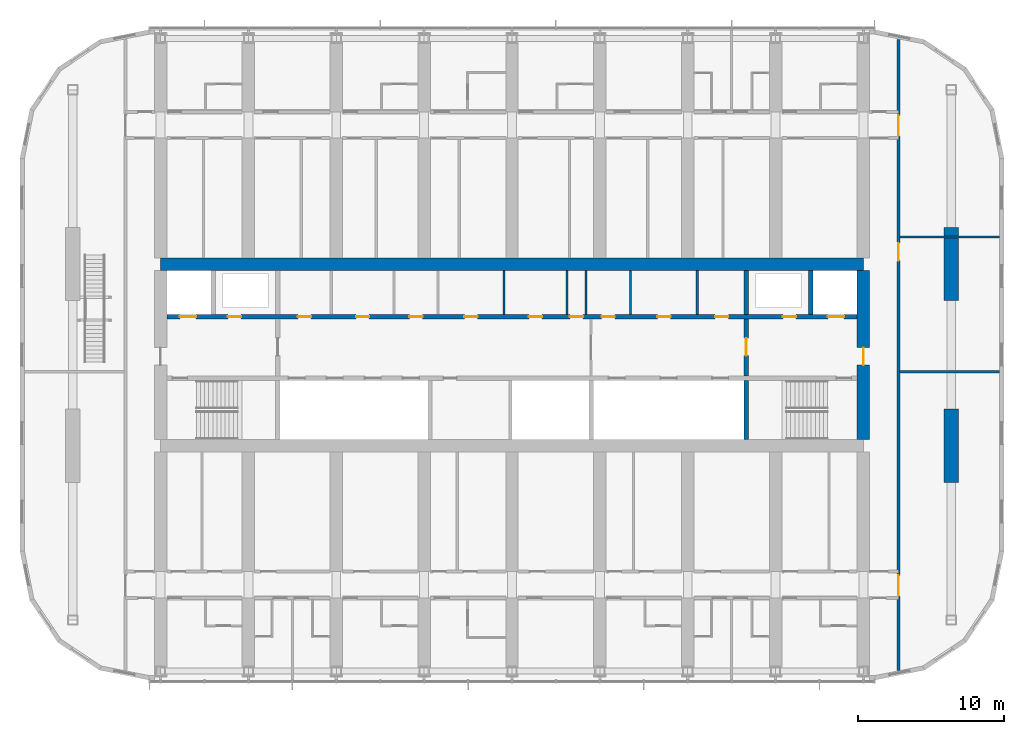
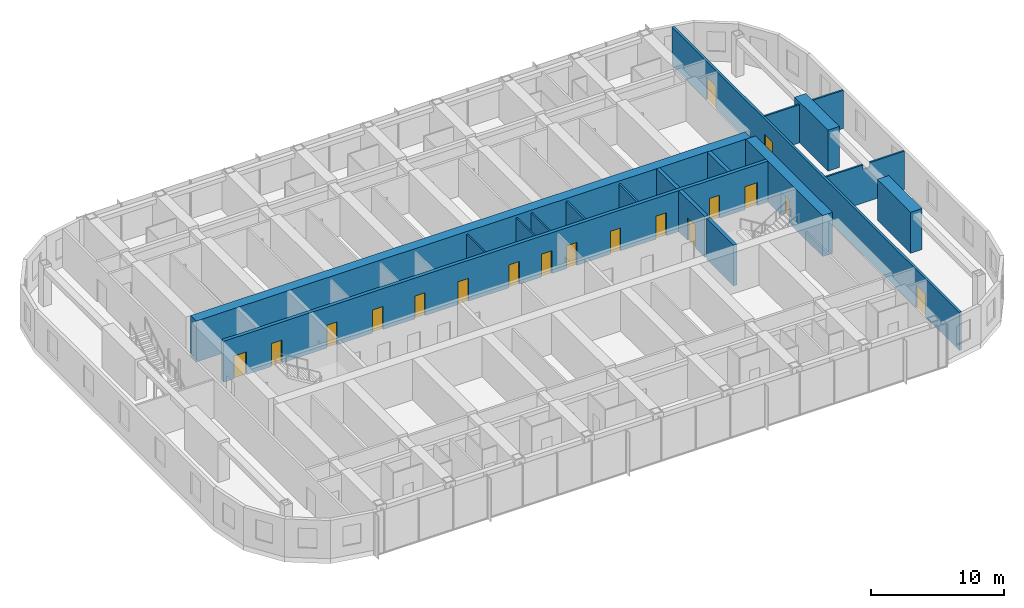
# One storey, part 17 of 28: 18 doors, 17 walls, 18 openings.
"""IFC4 building model written with IfcOpenShell, lengths in metres."""

from ifc_helpers import new_model, si_unit, direction, frame, frame_2d, origin, place, context, subcontext, project, spatial, polyline, rectangle, outline, extrude, material, layer, layer_set, type_object, element, fill, save


model = new_model("IFC4")

# Units and contexts
model_context = context("Model", 3, precision=1e-05, world=origin(), true_north=direction((0.0, 1.0)))
body_context = subcontext(model_context, "Body", "Model", "MODEL_VIEW")
ifc_project = project(units=[si_unit("LENGTHUNIT", "METRE"), si_unit("AREAUNIT", "SQUARE_METRE"), si_unit("VOLUMEUNIT", "CUBIC_METRE"), si_unit("PLANEANGLEUNIT", "RADIAN"), si_unit("MASSUNIT", "GRAM", prefix="KILO")], contexts=[model_context])

# Site, building, storey
site_placement = place(None, origin())
site = spatial("IfcSite", under=ifc_project, at=site_placement, CompositionType="ELEMENT")
building_placement = place(site_placement, origin())
building = spatial("IfcBuilding", under=site, at=building_placement, Name="Orbita Commons", CompositionType="ELEMENT")
storey_placement = place(building_placement, frame((0.0, 0.0, 193.60009765625)))
storey = spatial("IfcBuildingStorey", under=building, at=storey_placement, Name="L48", CompositionType="ELEMENT", Elevation=193.60009765625)

# Wall, openings, doors
ifc_material_1 = material(Name="Concrete C50/60", Category="concrete")
ifc_layer_1 = layer(ifc_material_1, 0.300048828125)
ifc_layer_set_1 = layer_set([ifc_layer_1], Name="Concrete C50/60")
wall_type_1 = type_object("IfcWallType", Name="Core inner wall 300 C50/60", PredefinedType="SHEAR", material=ifc_layer_set_1)
wall_1_placement = place(storey_placement, frame((18.425048828125, 34.60009765625, 0.0), z_axis=(0.0, 0.0, 1.0), x_axis=(1.0, 0.0, 0.0)))
wall_1 = element("IfcWall", 1, at=wall_1_placement, inside=storey, type_object=wall_type_1, Name="Lobby wall north L48", PredefinedType="SHEAR", context=body_context, shape_type="SweptSolid", body=[
    extrude(rectangle(XDim=47.14990234375, YDim=0.300048828125, at=frame_2d((23.574951171875, 0.0))), origin(), (0.0, 0.0, 1.0), 3.75),
])
opening_1_placement = place(wall_1_placement, frame((0.89990234375, 0.0, 0.0)))
opening_1 = element("IfcOpeningElement", 2, at=opening_1_placement, cuts=wall_1, Name="Opening LD01", PredefinedType="OPENING", context=body_context, shape_type="SweptSolid", body=[
    extrude(rectangle(XDim=1.10009765625, YDim=2.10009765625, at=frame_2d((0.550048828125, 1.050048828125))), frame((0.0, 0.159912109375, 0.0), z_axis=(0.0, -1.0, 0.0), x_axis=(1.0, 0.0, 0.0)), (0.0, 0.0, 1.0), 0.320068359375),
])
opening_2_placement = place(wall_1_placement, frame((45.14990234375, 0.0, 0.0)))
opening_2 = element("IfcOpeningElement", 3, at=opening_2_placement, cuts=wall_1, Name="Opening LD01", PredefinedType="OPENING", context=body_context, shape_type="SweptSolid", body=[
    extrude(rectangle(XDim=1.10009765625, YDim=2.10009765625, at=frame_2d((0.550048828125, 1.050048828125))), frame((0.0, 0.159912109375, 0.0), z_axis=(0.0, -1.0, 0.0), x_axis=(1.0, 0.0, 0.0)), (0.0, 0.0, 1.0), 0.320068359375),
])
opening_3_placement = place(wall_1_placement, frame((4.175048828125, 0.0, 0.0)))
opening_3 = element("IfcOpeningElement", 4, at=opening_3_placement, cuts=wall_1, Name="Opening D03", PredefinedType="OPENING", context=body_context, shape_type="SweptSolid", body=[
    extrude(rectangle(XDim=0.89990234375, YDim=2.10009765625, at=frame_2d((0.449951171875, 1.050048828125))), frame((0.0, 0.159912109375, 0.0), z_axis=(0.0, -1.0, 0.0), x_axis=(1.0, 0.0, 0.0)), (0.0, 0.0, 1.0), 0.320068359375),
])
opening_4_placement = place(wall_1_placement, frame((42.074951171875, 0.0, 0.0)))
opening_4 = element("IfcOpeningElement", 5, at=opening_4_placement, cuts=wall_1, Name="Opening D03", PredefinedType="OPENING", context=body_context, shape_type="SweptSolid", body=[
    extrude(rectangle(XDim=0.89990234375, YDim=2.10009765625, at=frame_2d((0.449951171875, 1.050048828125))), frame((0.0, 0.159912109375, 0.0), z_axis=(0.0, -1.0, 0.0), x_axis=(1.0, 0.0, 0.0)), (0.0, 0.0, 1.0), 0.320068359375),
])
opening_5_placement = place(wall_1_placement, frame((8.950439453125, 0.0, 0.0)))
opening_5 = element("IfcOpeningElement", 6, at=opening_5_placement, cuts=wall_1, Name="Opening D03", PredefinedType="OPENING", context=body_context, shape_type="SweptSolid", body=[
    extrude(rectangle(XDim=0.89990234375, YDim=2.10009765625, at=frame_2d((0.449951171875, 1.050048828125))), frame((0.0, 0.159912109375, 0.0), z_axis=(0.0, -1.0, 0.0), x_axis=(1.0, 0.0, 0.0)), (0.0, 0.0, 1.0), 0.320068359375),
])
opening_6_placement = place(wall_1_placement, frame((12.923583984375, 0.0, 0.0)))
opening_6 = element("IfcOpeningElement", 7, at=opening_6_placement, cuts=wall_1, Name="Opening D03", PredefinedType="OPENING", context=body_context, shape_type="SweptSolid", body=[
    extrude(rectangle(XDim=0.89990234375, YDim=2.10009765625, at=frame_2d((0.449951171875, 1.050048828125))), frame((0.0, 0.159912109375, 0.0), z_axis=(0.0, -1.0, 0.0), x_axis=(1.0, 0.0, 0.0)), (0.0, 0.0, 1.0), 0.320068359375),
])
opening_7_placement = place(wall_1_placement, frame((16.5712890625, 0.0, 0.0)))
opening_7 = element("IfcOpeningElement", 8, at=opening_7_placement, cuts=wall_1, Name="Opening D03", PredefinedType="OPENING", context=body_context, shape_type="SweptSolid", body=[
    extrude(rectangle(XDim=0.89990234375, YDim=2.10009765625, at=frame_2d((0.449951171875, 1.050048828125))), frame((0.0, 0.159912109375, 0.0), z_axis=(0.0, -1.0, 0.0), x_axis=(1.0, 0.0, 0.0)), (0.0, 0.0, 1.0), 0.320068359375),
])
opening_8_placement = place(wall_1_placement, frame((20.32958984375, 0.0, 0.0)))
opening_8 = element("IfcOpeningElement", 9, at=opening_8_placement, cuts=wall_1, Name="Opening D05", PredefinedType="OPENING", context=body_context, shape_type="SweptSolid", body=[
    extrude(rectangle(XDim=0.89990234375, YDim=2.10009765625, at=frame_2d((0.449951171875, 1.050048828125))), frame((0.0, 0.159912109375, 0.0), z_axis=(0.0, -1.0, 0.0), x_axis=(1.0, 0.0, 0.0)), (0.0, 0.0, 1.0), 0.320068359375),
])
opening_9_placement = place(wall_1_placement, frame((24.735595703125, 0.0, 0.0)))
opening_9 = element("IfcOpeningElement", 10, at=opening_9_placement, cuts=wall_1, Name="Opening D03", PredefinedType="OPENING", context=body_context, shape_type="SweptSolid", body=[
    extrude(rectangle(XDim=0.89990234375, YDim=2.10009765625, at=frame_2d((0.449951171875, 1.050048828125))), frame((0.0, 0.159912109375, 0.0), z_axis=(0.0, -1.0, 0.0), x_axis=(1.0, 0.0, 0.0)), (0.0, 0.0, 1.0), 0.320068359375),
])
opening_10_placement = place(wall_1_placement, frame((27.533447265625, 0.0, 0.0)))
opening_10 = element("IfcOpeningElement", 11, at=opening_10_placement, cuts=wall_1, Name="Opening D03", PredefinedType="OPENING", context=body_context, shape_type="SweptSolid", body=[
    extrude(rectangle(XDim=0.89990234375, YDim=2.10009765625, at=frame_2d((0.449951171875, 1.050048828125))), frame((0.0, 0.159912109375, 0.0), z_axis=(0.0, -1.0, 0.0), x_axis=(1.0, 0.0, 0.0)), (0.0, 0.0, 1.0), 0.320068359375),
])
opening_11_placement = place(wall_1_placement, frame((29.703125, 0.0, 0.0)))
opening_11 = element("IfcOpeningElement", 12, at=opening_11_placement, cuts=wall_1, Name="Opening D05", PredefinedType="OPENING", context=body_context, shape_type="SweptSolid", body=[
    extrude(rectangle(XDim=0.89990234375, YDim=2.10009765625, at=frame_2d((0.449951171875, 1.050048828125))), frame((0.0, 0.159912109375, 0.0), z_axis=(0.0, -1.0, 0.0), x_axis=(1.0, 0.0, 0.0)), (0.0, 0.0, 1.0), 0.320068359375),
])
opening_12_placement = place(wall_1_placement, frame((33.502197265625, 0.0, 0.0)))
opening_12 = element("IfcOpeningElement", 13, at=opening_12_placement, cuts=wall_1, Name="Opening D05", PredefinedType="OPENING", context=body_context, shape_type="SweptSolid", body=[
    extrude(rectangle(XDim=0.89990234375, YDim=2.10009765625, at=frame_2d((0.449951171875, 1.050048828125))), frame((0.0, 0.159912109375, 0.0), z_axis=(0.0, -1.0, 0.0), x_axis=(1.0, 0.0, 0.0)), (0.0, 0.0, 1.0), 0.320068359375),
])
opening_13_placement = place(wall_1_placement, frame((37.453369140625, 0.0, 0.0)))
opening_13 = element("IfcOpeningElement", 14, at=opening_13_placement, cuts=wall_1, Name="Opening D03", PredefinedType="OPENING", context=body_context, shape_type="SweptSolid", body=[
    extrude(rectangle(XDim=0.89990234375, YDim=2.10009765625, at=frame_2d((0.449951171875, 1.050048828125))), frame((0.0, 0.159912109375, 0.0), z_axis=(0.0, -1.0, 0.0), x_axis=(1.0, 0.0, 0.0)), (0.0, 0.0, 1.0), 0.320068359375),
])
ifc_material_2 = material(Name="Steel-faced fire door leaf", Category="steel")
door_type_1 = type_object("IfcDoorType", Name="Firefighting lift landing door 1100x2100", OperationType="DOUBLE_DOOR_SLIDING", PredefinedType="DOOR", material=ifc_material_2)
door_1_placement = place(opening_1_placement, origin())
door_1 = element("IfcDoor", 15, at=door_1_placement, inside=storey, type_object=door_type_1, Name="Firefighting lift FL1 landing door", OperationType="DOUBLE_DOOR_SLIDING", OverallHeight=2.10009765625, OverallWidth=1.10009765625, PredefinedType="DOOR", context=body_context, shape_type="SweptSolid", body=[
    extrude(rectangle(XDim=1.10009765625, YDim=2.10009765625, at=frame_2d((0.550048828125, 1.050048828125))), frame((0.0, 0.02490234375, 0.0), z_axis=(0.0, -1.0, 0.0), x_axis=(1.0, 0.0, 0.0)), (0.0, 0.0, 1.0), 0.050048828125),
])
fill(opening_1, door_1)
door_2_placement = place(opening_2_placement, origin())
door_2 = element("IfcDoor", 16, at=door_2_placement, inside=storey, type_object=door_type_1, Name="Firefighting lift FL2 landing door", OperationType="DOUBLE_DOOR_SLIDING", OverallHeight=2.10009765625, OverallWidth=1.10009765625, PredefinedType="DOOR", context=body_context, shape_type="SweptSolid", body=[
    extrude(rectangle(XDim=1.10009765625, YDim=2.10009765625, at=frame_2d((0.550048828125, 1.050048828125))), frame((0.0, 0.02490234375, 0.0), z_axis=(0.0, -1.0, 0.0), x_axis=(1.0, 0.0, 0.0)), (0.0, 0.0, 1.0), 0.050048828125),
])
fill(opening_2, door_2)
ifc_material_3 = material(Name="Steel-faced fire door leaf", Category="steel")
door_type_2 = type_object("IfcDoorType", Name="Service door 20 min 900x2100", OperationType="SINGLE_SWING_LEFT", PredefinedType="DOOR", material=ifc_material_3)
door_3_placement = place(opening_8_placement, origin())
door_3 = element("IfcDoor", 17, at=door_3_placement, inside=storey, type_object=door_type_2, Name="Accessible WC door", OperationType="SINGLE_SWING_LEFT", OverallHeight=2.10009765625, OverallWidth=0.89990234375, PredefinedType="DOOR", context=body_context, shape_type="SweptSolid", body=[
    extrude(rectangle(XDim=0.89990234375, YDim=2.10009765625, at=frame_2d((0.449951171875, 1.050048828125))), frame((0.0, 0.02490234375, 0.0), z_axis=(0.0, -1.0, 0.0), x_axis=(1.0, 0.0, 0.0)), (0.0, 0.0, 1.0), 0.050048828125),
])
fill(opening_8, door_3)
door_4_placement = place(opening_11_placement, origin())
door_4 = element("IfcDoor", 18, at=door_4_placement, inside=storey, type_object=door_type_2, Name="Staff WC door", OperationType="SINGLE_SWING_LEFT", OverallHeight=2.10009765625, OverallWidth=0.89990234375, PredefinedType="DOOR", context=body_context, shape_type="SweptSolid", body=[
    extrude(rectangle(XDim=0.89990234375, YDim=2.10009765625, at=frame_2d((0.449951171875, 1.050048828125))), frame((0.0, 0.02490234375, 0.0), z_axis=(0.0, -1.0, 0.0), x_axis=(1.0, 0.0, 0.0)), (0.0, 0.0, 1.0), 0.050048828125),
])
fill(opening_11, door_4)
door_5_placement = place(opening_12_placement, origin())
door_5 = element("IfcDoor", 19, at=door_5_placement, inside=storey, type_object=door_type_2, Name="Vending and ice room door", OperationType="SINGLE_SWING_LEFT", OverallHeight=2.10009765625, OverallWidth=0.89990234375, PredefinedType="DOOR", context=body_context, shape_type="SweptSolid", body=[
    extrude(rectangle(XDim=0.89990234375, YDim=2.10009765625, at=frame_2d((0.449951171875, 1.050048828125))), frame((0.0, 0.02490234375, 0.0), z_axis=(0.0, -1.0, 0.0), x_axis=(1.0, 0.0, 0.0)), (0.0, 0.0, 1.0), 0.050048828125),
])
fill(opening_12, door_5)
ifc_material_4 = material(Name="Steel-faced fire door leaf", Category="steel")
door_type_3 = type_object("IfcDoorType", Name="Shaft access door 90 min 900x2100", OperationType="SINGLE_SWING_LEFT", PredefinedType="DOOR", material=ifc_material_4)
door_6_placement = place(opening_3_placement, origin())
door_6 = element("IfcDoor", 20, at=door_6_placement, inside=storey, type_object=door_type_3, Name="Riser door west", OperationType="SINGLE_SWING_LEFT", OverallHeight=2.10009765625, OverallWidth=0.89990234375, PredefinedType="DOOR", context=body_context, shape_type="SweptSolid", body=[
    extrude(rectangle(XDim=0.89990234375, YDim=2.10009765625, at=frame_2d((0.449951171875, 1.050048828125))), frame((0.0, 0.02490234375, 0.0), z_axis=(0.0, -1.0, 0.0), x_axis=(1.0, 0.0, 0.0)), (0.0, 0.0, 1.0), 0.050048828125),
])
fill(opening_3, door_6)
door_7_placement = place(opening_4_placement, origin())
door_7 = element("IfcDoor", 21, at=door_7_placement, inside=storey, type_object=door_type_3, Name="Riser door east", OperationType="SINGLE_SWING_LEFT", OverallHeight=2.10009765625, OverallWidth=0.89990234375, PredefinedType="DOOR", context=body_context, shape_type="SweptSolid", body=[
    extrude(rectangle(XDim=0.89990234375, YDim=2.10009765625, at=frame_2d((0.449951171875, 1.050048828125))), frame((0.0, 0.02490234375, 0.0), z_axis=(0.0, -1.0, 0.0), x_axis=(1.0, 0.0, 0.0)), (0.0, 0.0, 1.0), 0.050048828125),
])
fill(opening_4, door_7)
door_8_placement = place(opening_5_placement, origin())
door_8 = element("IfcDoor", 22, at=door_8_placement, inside=storey, type_object=door_type_3, Name="Cleaners store door", OperationType="SINGLE_SWING_LEFT", OverallHeight=2.10009765625, OverallWidth=0.89990234375, PredefinedType="DOOR", context=body_context, shape_type="SweptSolid", body=[
    extrude(rectangle(XDim=0.89990234375, YDim=2.10009765625, at=frame_2d((0.449951171875, 1.050048828125))), frame((0.0, 0.02490234375, 0.0), z_axis=(0.0, -1.0, 0.0), x_axis=(1.0, 0.0, 0.0)), (0.0, 0.0, 1.0), 0.050048828125),
])
fill(opening_5, door_8)
door_9_placement = place(opening_6_placement, origin())
door_9 = element("IfcDoor", 23, at=door_9_placement, inside=storey, type_object=door_type_3, Name="Refuse chute room door", OperationType="SINGLE_SWING_LEFT", OverallHeight=2.10009765625, OverallWidth=0.89990234375, PredefinedType="DOOR", context=body_context, shape_type="SweptSolid", body=[
    extrude(rectangle(XDim=0.89990234375, YDim=2.10009765625, at=frame_2d((0.449951171875, 1.050048828125))), frame((0.0, 0.02490234375, 0.0), z_axis=(0.0, -1.0, 0.0), x_axis=(1.0, 0.0, 0.0)), (0.0, 0.0, 1.0), 0.050048828125),
])
fill(opening_6, door_9)
door_10_placement = place(opening_7_placement, origin())
door_10 = element("IfcDoor", 24, at=door_10_placement, inside=storey, type_object=door_type_3, Name="Electrical riser room door", OperationType="SINGLE_SWING_LEFT", OverallHeight=2.10009765625, OverallWidth=0.89990234375, PredefinedType="DOOR", context=body_context, shape_type="SweptSolid", body=[
    extrude(rectangle(XDim=0.89990234375, YDim=2.10009765625, at=frame_2d((0.449951171875, 1.050048828125))), frame((0.0, 0.02490234375, 0.0), z_axis=(0.0, -1.0, 0.0), x_axis=(1.0, 0.0, 0.0)), (0.0, 0.0, 1.0), 0.050048828125),
])
fill(opening_7, door_10)
door_11_placement = place(opening_9_placement, origin())
door_11 = element("IfcDoor", 25, at=door_11_placement, inside=storey, type_object=door_type_3, Name="Communications room door", OperationType="SINGLE_SWING_LEFT", OverallHeight=2.10009765625, OverallWidth=0.89990234375, PredefinedType="DOOR", context=body_context, shape_type="SweptSolid", body=[
    extrude(rectangle(XDim=0.89990234375, YDim=2.10009765625, at=frame_2d((0.449951171875, 1.050048828125))), frame((0.0, 0.02490234375, 0.0), z_axis=(0.0, -1.0, 0.0), x_axis=(1.0, 0.0, 0.0)), (0.0, 0.0, 1.0), 0.050048828125),
])
fill(opening_9, door_11)
door_12_placement = place(opening_10_placement, origin())
door_12 = element("IfcDoor", 26, at=door_12_placement, inside=storey, type_object=door_type_3, Name="Stair pressurisation duct door", OperationType="SINGLE_SWING_LEFT", OverallHeight=2.10009765625, OverallWidth=0.89990234375, PredefinedType="DOOR", context=body_context, shape_type="SweptSolid", body=[
    extrude(rectangle(XDim=0.89990234375, YDim=2.10009765625, at=frame_2d((0.449951171875, 1.050048828125))), frame((0.0, 0.02490234375, 0.0), z_axis=(0.0, -1.0, 0.0), x_axis=(1.0, 0.0, 0.0)), (0.0, 0.0, 1.0), 0.050048828125),
])
fill(opening_10, door_12)
door_13_placement = place(opening_13_placement, origin())
door_13 = element("IfcDoor", 27, at=door_13_placement, inside=storey, type_object=door_type_3, Name="Housekeeping store door", OperationType="SINGLE_SWING_LEFT", OverallHeight=2.10009765625, OverallWidth=0.89990234375, PredefinedType="DOOR", context=body_context, shape_type="SweptSolid", body=[
    extrude(rectangle(XDim=0.89990234375, YDim=2.10009765625, at=frame_2d((0.449951171875, 1.050048828125))), frame((0.0, 0.02490234375, 0.0), z_axis=(0.0, -1.0, 0.0), x_axis=(1.0, 0.0, 0.0)), (0.0, 0.0, 1.0), 0.050048828125),
])
fill(opening_13, door_13)

# Wall
wall_2_placement = place(storey_placement, frame((58.0, 26.22509765625, 0.0), z_axis=(0.0, 0.0, 1.0), x_axis=(0.0, 1.0, 0.0)))
element("IfcWall", 28, at=wall_2_placement, inside=storey, type_object=wall_type_1, Name="Stair S2 wall L48", PredefinedType="SHEAR", context=body_context, shape_type="SweptSolid", body=[
    extrude(rectangle(XDim=4.02490234375, YDim=0.300048828125, at=frame_2d((2.012451171875, 0.0))), origin(), (0.0, 0.0, 1.0), 3.75),
])

# Wall, opening, door
wall_3_placement = place(storey_placement, frame((58.0, 30.550048828125, 0.0), z_axis=(0.0, 0.0, 1.0), x_axis=(0.0, 1.0, 0.0)))
wall_3 = element("IfcWall", 29, at=wall_3_placement, inside=storey, type_object=wall_type_1, Name="Firefighting lobby wall east L48", PredefinedType="SHEAR", context=body_context, shape_type="SweptSolid", body=[
    extrude(rectangle(XDim=3.89990234375, YDim=0.300048828125, at=frame_2d((1.949951171875, 0.0))), origin(), (0.0, 0.0, 1.0), 3.75),
])
opening_14_placement = place(wall_3_placement, frame((1.39990234375, 0.0, 0.0)))
opening_14 = element("IfcOpeningElement", 30, at=opening_14_placement, cuts=wall_3, Name="Opening D04", PredefinedType="OPENING", context=body_context, shape_type="SweptSolid", body=[
    extrude(rectangle(XDim=1.199951171875, YDim=2.10009765625, at=frame_2d((0.60009765625, 1.050048828125))), frame((0.0, 0.159912109375, 0.0), z_axis=(0.0, -1.0, 0.0), x_axis=(1.0, 0.0, 0.0)), (0.0, 0.0, 1.0), 0.320068359375),
])
ifc_material_5 = material(Name="Steel-faced fire door leaf", Category="steel")
door_type_4 = type_object("IfcDoorType", Name="Service door 20 min 1200x2100", OperationType="SINGLE_SWING_LEFT", PredefinedType="DOOR", material=ifc_material_5)
door_14_placement = place(opening_14_placement, origin())
door_14 = element("IfcDoor", 31, at=door_14_placement, inside=storey, type_object=door_type_4, Name="Lift lobby door east", OperationType="SINGLE_SWING_LEFT", OverallHeight=2.10009765625, OverallWidth=1.199951171875, PredefinedType="DOOR", context=body_context, shape_type="SweptSolid", body=[
    extrude(rectangle(XDim=1.199951171875, YDim=2.10009765625, at=frame_2d((0.60009765625, 1.050048828125))), frame((0.0, 0.02490234375, 0.0), z_axis=(0.0, -1.0, 0.0), x_axis=(1.0, 0.0, 0.0)), (0.0, 0.0, 1.0), 0.050048828125),
])
fill(opening_14, door_14)

# Walls
for number, where, z_axis, x_axis, name in (
    (32, (62.39990234375, 34.75, 0.0), (0.0, 0.0, 1.0), (0.0, 1.0, 0.0), "Firefighting lift FL2 shaft wall L48"),
    (33, (58.0, 34.75, 0.0), (0.0, 0.0, 1.0), (0.0, 1.0, 0.0), "Riser wall east L48"),
):
    element("IfcWall", number, at=place(storey_placement, frame(where, z_axis=z_axis, x_axis=x_axis)), inside=storey, type_object=wall_type_1, Name=name, PredefinedType="SHEAR", context=body_context, shape_type="SweptSolid", body=[
        extrude(rectangle(XDim=3.02490234375, YDim=0.300048828125, at=frame_2d((1.512451171875, 0.0))), origin(), (0.0, 0.0, 1.0), 3.75),
    ])
ifc_material_6 = material(Name="Concrete blockwork", Category="masonry")
ifc_layer_2 = layer(ifc_material_6, 0.14990234375)
ifc_layer_set_2 = layer_set([ifc_layer_2], Name="Concrete blockwork")
wall_type_2 = type_object("IfcWallType", Name="Core partition 150 blockwork", PredefinedType="SOLIDWALL", material=ifc_layer_set_2)
for number, where, z_axis, x_axis, name in (
    (34, (41.463134765625, 34.75, 0.0), (0.0, 0.0, 1.0), (0.0, 1.0, 0.0), "Core partition 150 blockwork L48"),
    (35, (45.75830078125, 34.75, 0.0), (0.0, 0.0, 1.0), (0.0, 1.0, 0.0), "Core partition 150 blockwork L48"),
    (36, (47.058349609375, 34.75, 0.0), (0.0, 0.0, 1.0), (0.0, 1.0, 0.0), "Core partition 150 blockwork L48"),
    (37, (50.09765625, 34.75, 0.0), (0.0, 0.0, 1.0), (0.0, 1.0, 0.0), "Core partition 150 blockwork L48"),
    (38, (54.65673828125, 34.75, 0.0), (0.0, 0.0, 1.0), (0.0, 1.0, 0.0), "Core partition 150 blockwork L48"),
):
    element("IfcWall", number, at=place(storey_placement, frame(where, z_axis=z_axis, x_axis=x_axis)), inside=storey, type_object=wall_type_2, Name=name, PredefinedType="SOLIDWALL", context=body_context, shape_type="SweptSolid", body=[
        extrude(rectangle(XDim=3.02490234375, YDim=0.14990234375, at=frame_2d((1.512451171875, 0.0))), origin(), (0.0, 0.0, 1.0), 3.5),
    ])
ifc_material_7 = material(Name="Concrete C50/60", Category="concrete")
ifc_layer_3 = layer(ifc_material_7, 0.85009765625)
ifc_layer_set_3 = layer_set([ifc_layer_3], Name="Concrete C50/60")
wall_type_3 = type_object("IfcWallType", Name="Core wall 850 C50/60", PredefinedType="SHEAR", material=ifc_layer_set_3)
wall_4_placement = place(storey_placement, frame((18.0, 38.199951171875, 0.0), z_axis=(0.0, 0.0, 1.0), x_axis=(1.0, 0.0, 0.0)))
element("IfcWall", 39, at=wall_4_placement, inside=storey, type_object=wall_type_3, Name="Core spine wall north L48", PredefinedType="SHEAR", context=body_context, shape_type="SweptSolid", body=[
    extrude(rectangle(XDim=48.0, YDim=0.85009765625, at=frame_2d((24.0, 0.0))), origin(), (0.0, 0.0, 1.0), 3.75),
])

# Wall, opening, door
wall_5_placement = place(storey_placement, frame((66.0, 26.22509765625, 0.0), z_axis=(0.0, 0.0, 1.0), x_axis=(0.0, 1.0, 0.0)))
wall_5 = element("IfcWall", 40, at=wall_5_placement, inside=storey, type_object=wall_type_3, Name="Core end wall east L48", PredefinedType="SHEAR", context=body_context, shape_type="SweptSolid", body=[
    extrude(rectangle(XDim=11.5498046875, YDim=0.85009765625, at=frame_2d((5.77490234375, 0.0))), origin(), (0.0, 0.0, 1.0), 3.75),
])
opening_15_placement = place(wall_5_placement, frame((5.074951171875, 0.0, 0.0)))
opening_15 = element("IfcOpeningElement", 41, at=opening_15_placement, cuts=wall_5, Name="Opening D01", PredefinedType="OPENING", context=body_context, shape_type="SweptSolid", body=[
    extrude(rectangle(XDim=1.199951171875, YDim=2.10009765625, at=frame_2d((0.60009765625, 1.050048828125))), frame((0.0, 0.43505859375, 0.0), z_axis=(0.0, -1.0, 0.0), x_axis=(1.0, 0.0, 0.0)), (0.0, 0.0, 1.0), 0.8701171875),
])
ifc_material_8 = material(Name="Steel-faced fire door leaf", Category="steel")
door_type_5 = type_object("IfcDoorType", Name="Fire door 90 min 1200x2100", OperationType="SINGLE_SWING_LEFT", PredefinedType="DOOR", material=ifc_material_8)
door_15_placement = place(opening_15_placement, origin())
door_15 = element("IfcDoor", 42, at=door_15_placement, inside=storey, type_object=door_type_5, Name="Firefighting lobby east door", OperationType="SINGLE_SWING_LEFT", OverallHeight=2.10009765625, OverallWidth=1.199951171875, PredefinedType="DOOR", context=body_context, shape_type="SweptSolid", body=[
    extrude(rectangle(XDim=1.199951171875, YDim=2.10009765625, at=frame_2d((0.60009765625, 1.050048828125))), frame((0.0, 0.02490234375, 0.0), z_axis=(0.0, -1.0, 0.0), x_axis=(1.0, 0.0, 0.0)), (0.0, 0.0, 1.0), 0.050048828125),
])
fill(opening_15, door_15)

# Wall, openings, doors
ifc_material_9 = material(Name="Concrete blockwork", Category="masonry")
ifc_layer_4 = layer(ifc_material_9, 0.199951171875)
ifc_layer_set_4 = layer_set([ifc_layer_4], Name="Concrete blockwork")
wall_type_4 = type_object("IfcWallType", Name="Corridor wall 200 blockwork", PredefinedType="SOLIDWALL", material=ifc_layer_set_4)
wall_6_placement = place(storey_placement, frame((68.39990234375, 10.4462890625, 0.0), z_axis=(0.0, 0.0, 1.0), x_axis=(0.0, 1.0, 0.0)))
wall_6 = element("IfcWall", 43, at=wall_6_placement, inside=storey, type_object=wall_type_4, Name="Corridor wall 200 blockwork L48", PredefinedType="SOLIDWALL", context=body_context, shape_type="SweptSolid", body=[
    extrude(rectangle(XDim=43.107421875, YDim=0.199951171875, at=frame_2d((21.5537109375, 0.0))), origin(), (0.0, 0.0, 1.0), 3.5),
])
opening_16_placement = place(wall_6_placement, frame((27.993896484375, 0.0, 0.0)))
opening_16 = element("IfcOpeningElement", 44, at=opening_16_placement, cuts=wall_6, Name="Opening D15", PredefinedType="OPENING", context=body_context, shape_type="SweptSolid", body=[
    extrude(rectangle(XDim=1.199951171875, YDim=2.10009765625, at=frame_2d((0.60009765625, 1.050048828125))), frame((0.0, 0.10986328125, 0.0), z_axis=(0.0, -1.0, 0.0), x_axis=(1.0, 0.0, 0.0)), (0.0, 0.0, 1.0), 0.219970703125),
])
opening_17_placement = place(wall_6_placement, frame((5.103759765625, 0.0, 0.0)))
opening_17 = element("IfcOpeningElement", 45, at=opening_17_placement, cuts=wall_6, Name="Opening D08", PredefinedType="OPENING", context=body_context, shape_type="SweptSolid", body=[
    extrude(rectangle(XDim=1.39990234375, YDim=2.10009765625, at=frame_2d((0.699951171875, 1.050048828125))), frame((0.0, 0.10986328125, 0.0), z_axis=(0.0, -1.0, 0.0), x_axis=(1.0, 0.0, 0.0)), (0.0, 0.0, 1.0), 0.219970703125),
])
opening_18_placement = place(wall_6_placement, frame((36.50390625, 0.0, 0.0)))
opening_18 = element("IfcOpeningElement", 46, at=opening_18_placement, cuts=wall_6, Name="Opening D08", PredefinedType="OPENING", context=body_context, shape_type="SweptSolid", body=[
    extrude(rectangle(XDim=1.39990234375, YDim=2.10009765625, at=frame_2d((0.699951171875, 1.050048828125))), frame((0.0, 0.10986328125, 0.0), z_axis=(0.0, -1.0, 0.0), x_axis=(1.0, 0.0, 0.0)), (0.0, 0.0, 1.0), 0.219970703125),
])
ifc_material_10 = material(Name="Steel-faced fire door leaf", Category="steel")
door_type_6 = type_object("IfcDoorType", Name="Corridor door 20 min 1200x2100", OperationType="SINGLE_SWING_LEFT", PredefinedType="DOOR", material=ifc_material_10)
door_16_placement = place(opening_16_placement, origin())
door_16 = element("IfcDoor", 47, at=door_16_placement, inside=storey, type_object=door_type_6, Name="Study hall door", OperationType="SINGLE_SWING_LEFT", OverallHeight=2.10009765625, OverallWidth=1.199951171875, PredefinedType="DOOR", context=body_context, shape_type="SweptSolid", body=[
    extrude(rectangle(XDim=1.199951171875, YDim=2.10009765625, at=frame_2d((0.60009765625, 1.050048828125))), frame((0.0, 0.02490234375, 0.0), z_axis=(0.0, -1.0, 0.0), x_axis=(1.0, 0.0, 0.0)), (0.0, 0.0, 1.0), 0.050048828125),
])
fill(opening_16, door_16)
ifc_material_11 = material(Name="Steel-faced fire door leaf", Category="steel")
door_type_7 = type_object("IfcDoorType", Name="Double corridor door 20 min 1400x2100", OperationType="DOUBLE_DOOR_SINGLE_SWING", PredefinedType="DOOR", material=ifc_material_11)
door_17_placement = place(opening_17_placement, origin())
door_17 = element("IfcDoor", 48, at=door_17_placement, inside=storey, type_object=door_type_7, Name="Lounge doors", OperationType="DOUBLE_DOOR_SINGLE_SWING", OverallHeight=2.10009765625, OverallWidth=1.39990234375, PredefinedType="DOOR", context=body_context, shape_type="SweptSolid", body=[
    extrude(rectangle(XDim=1.39990234375, YDim=2.10009765625, at=frame_2d((0.699951171875, 1.050048828125))), frame((0.0, 0.02490234375, 0.0), z_axis=(0.0, -1.0, 0.0), x_axis=(1.0, 0.0, 0.0)), (0.0, 0.0, 1.0), 0.050048828125),
])
fill(opening_17, door_17)
door_18_placement = place(opening_18_placement, origin())
door_18 = element("IfcDoor", 49, at=door_18_placement, inside=storey, type_object=door_type_7, Name="Lounge doors", OperationType="DOUBLE_DOOR_SINGLE_SWING", OverallHeight=2.10009765625, OverallWidth=1.39990234375, PredefinedType="DOOR", context=body_context, shape_type="SweptSolid", body=[
    extrude(rectangle(XDim=1.39990234375, YDim=2.10009765625, at=frame_2d((0.699951171875, 1.050048828125))), frame((0.0, 0.02490234375, 0.0), z_axis=(0.0, -1.0, 0.0), x_axis=(1.0, 0.0, 0.0)), (0.0, 0.0, 1.0), 0.050048828125),
])
fill(opening_18, door_18)

# Walls
ifc_material_12 = material(Name="Concrete C50/60", Category="concrete")
ifc_layer_5 = layer(ifc_material_12, 1.0)
ifc_layer_set_5 = layer_set([ifc_layer_5], Name="Concrete C50/60")
wall_type_5 = type_object("IfcWallType", Name="End pier 1000x5000 C50/60", PredefinedType="SHEAR", material=ifc_layer_set_5)
for number, where, z_axis, x_axis, name in (
    (50, (72.0, 23.300048828125, 0.0), (0.0, 0.0, 1.0), (0.0, 1.0, 0.0), "End pier 13/C L48"),
    (51, (72.0, 35.699951171875, 0.0), (0.0, 0.0, 1.0), (0.0, 1.0, 0.0), "End pier 13/D L48"),
):
    element("IfcWall", number, at=place(storey_placement, frame(where, z_axis=z_axis, x_axis=x_axis)), inside=storey, type_object=wall_type_5, Name=name, PredefinedType="SHEAR", context=body_context, shape_type="SweptSolid", body=[
        extrude(rectangle(XDim=5.0, YDim=1.0, at=frame_2d((2.5, 0.0))), origin(), (0.0, 0.0, 1.0), 3.75),
    ])
ifc_material_13 = material(Name="Gypsum plasterboard on steel studs", Category="steel")
ifc_layer_6 = layer(ifc_material_13, 0.14990234375)
ifc_layer_set_6 = layer_set([ifc_layer_6], Name="Gypsum plasterboard on steel studs")
wall_type_6 = type_object("IfcWallType", Name="Partition 150 plasterboard", PredefinedType="PARTITIONING", material=ifc_layer_set_6)
wall_7_placement = place(storey_placement, frame((68.47509765625, 30.85009765625, 0.0), z_axis=(0.0, 0.0, 1.0), x_axis=(1.0, 0.0, 0.0)))
element("IfcWall", 52, at=wall_7_placement, inside=storey, type_object=wall_type_6, Name="Partition 150 plasterboard L48", PredefinedType="PARTITIONING", context=body_context, shape_type="SweptSolid", body=[
    extrude(outline(polyline([(0.0, 0.0), (6.81982421875, 0.0), (6.820068359375, 3.5), (3.826904296875, 3.5), (3.824951171875, 3.0498046875), (3.22705078125, 3.0498046875), (3.22509765625, 3.5), (0.0, 3.5), (0.0, 0.0)])), frame((0.0, 0.074951171875, 0.0), z_axis=(0.0, -1.0, 0.0), x_axis=(1.0, 0.0, 0.0)), (0.0, 0.0, 1.0), 0.14990234375),
])
wall_8_placement = place(storey_placement, frame((68.47509765625, 40.0400390625, 0.0), z_axis=(0.0, 0.0, 1.0), x_axis=(1.0, 0.0, 0.0)))
element("IfcWall", 53, at=wall_8_placement, inside=storey, type_object=wall_type_6, Name="Partition 150 plasterboard L48", PredefinedType="PARTITIONING", context=body_context, shape_type="SweptSolid", body=[
    extrude(rectangle(XDim=6.81982421875, YDim=0.14990234375, at=frame_2d((3.409912109375, 0.0))), origin(), (0.0, 0.0, 1.0), 3.5),
])

save(model, "model.ifc")
